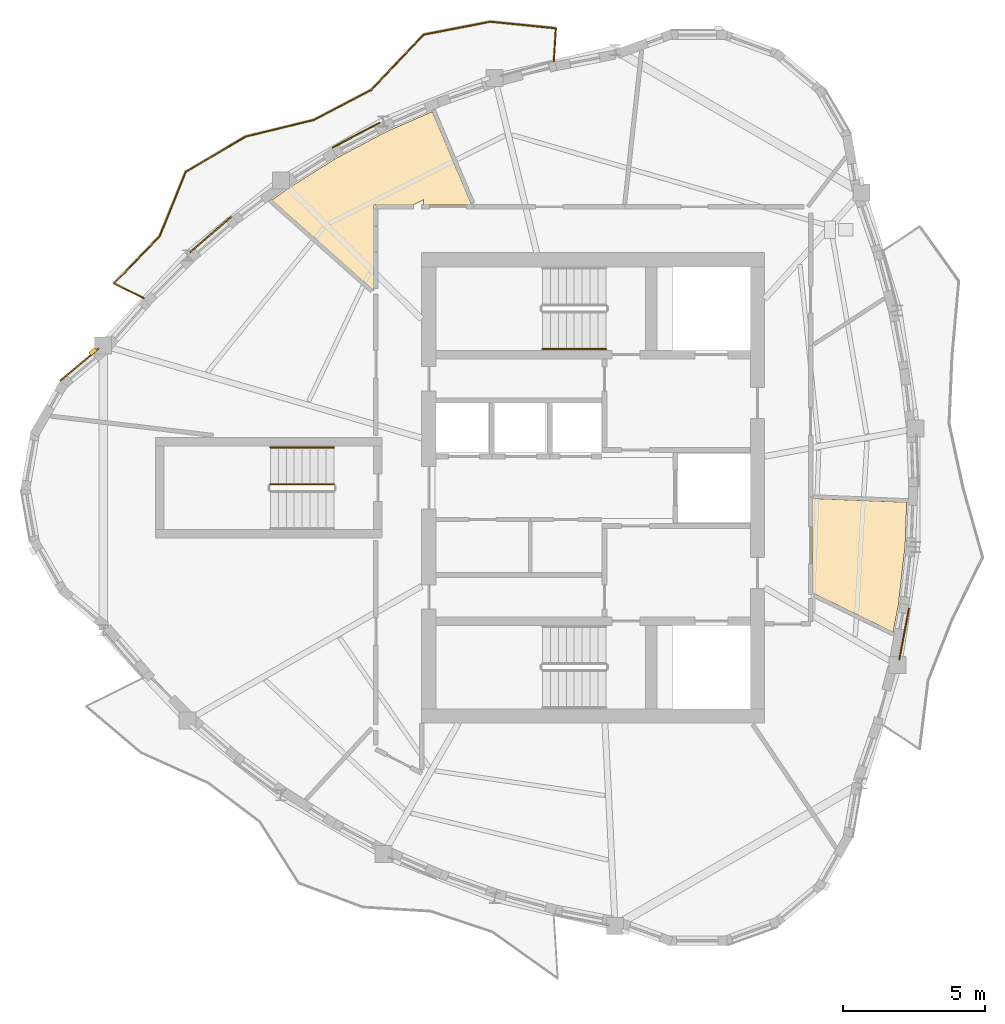
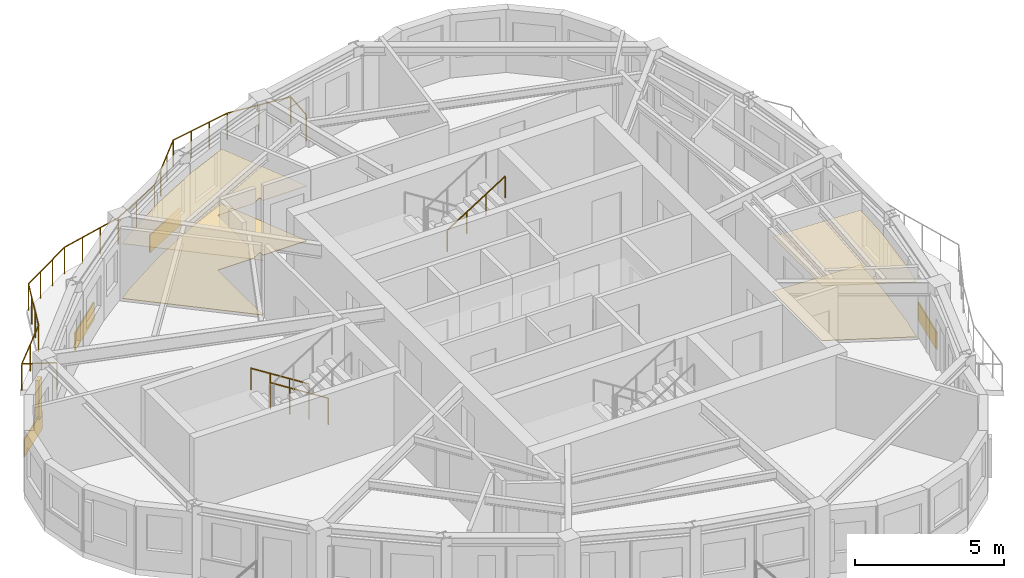
# One storey, part 9 of 11: 8 coverings, 4 railings, 1 shading device.
"""IFC4 building model written with IfcOpenShell, lengths in metres."""

from ifc_helpers import new_model, si_unit, direction, frame, origin, origin_2d, place, context, subcontext, project, spatial, polyline, rectangle, circle, outline, extrude, source, transform, mapped, material, layer, layer_set, type_object, element, save


model = new_model("IFC4")

# Units and contexts
model_context = context("Model", 3, precision=1e-05, world=origin(), true_north=direction((0.0, 1.0)))
body_context = subcontext(model_context, "Body", "Model", "MODEL_VIEW")
ifc_project = project(units=[si_unit("LENGTHUNIT", "METRE"), si_unit("AREAUNIT", "SQUARE_METRE"), si_unit("VOLUMEUNIT", "CUBIC_METRE"), si_unit("PLANEANGLEUNIT", "RADIAN"), si_unit("MASSUNIT", "GRAM", prefix="KILO")], contexts=[model_context])

# Site, building, storey
site_placement = place(None, origin())
site = spatial("IfcSite", under=ifc_project, at=site_placement, CompositionType="ELEMENT")
building_placement = place(site_placement, origin())
building = spatial("IfcBuilding", under=site, at=building_placement, Name="Qafzar Sky-Pleat Residences", CompositionType="ELEMENT")
storey_placement = place(building_placement, frame((0.0, 0.0, 227.60009765625)))
storey = spatial("IfcBuildingStorey", under=building, at=storey_placement, Name="L68", CompositionType="ELEMENT", Elevation=227.60009765625)

# Coverings
ifc_material_1 = material(Name="Perforated acoustic gypsum board ceiling")
ifc_layer_1 = layer(ifc_material_1, 0.02001953125)
ifc_layer_set_1 = layer_set([ifc_layer_1], Name="Perforated acoustic gypsum board ceiling")
covering_type_1 = type_object("IfcCoveringType", Name="COV-CEIL-ACOUSTIC", PredefinedType="CEILING", material=ifc_layer_set_1)
covering_1_placement = place(storey_placement, frame((0.0, 0.0, 2.239990234375)))
element("IfcCovering", 1, at=covering_1_placement, inside=storey, type_object=covering_type_1, Name="L68 Co-Living Lounge Acoustic Ceiling", PredefinedType="CEILING", context=body_context, shape_type="SweptSolid", body=[
    extrude(outline(polyline([(19.53955078125, 36.53759765625), (21.282958984375, 37.634521484375), (23.1044921875, 38.595703125), (24.669677734375, 39.276123046875), (26.063720703125, 35.97998046875), (24.360107421875, 35.97998046875), (24.360107421875, 36.17138671875), (23.997314453125, 35.97998046875), (22.6201171875, 35.97998046875), (22.6201171875, 32.951171875), (19.018798828125, 36.152099609375), (19.53955078125, 36.53759765625)])), origin(), (0.0, 0.0, 1.0), 0.02001953125),
])
covering_2_placement = place(storey_placement, frame((0.0, 0.0, 2.239990234375)))
element("IfcCovering", 2, at=covering_2_placement, inside=storey, type_object=covering_type_1, Name="L68 Communal Kitchen Acoustic Ceiling", PredefinedType="CEILING", context=body_context, shape_type="SweptSolid", body=[
    extrude(outline(polyline([(41.35595703125, 23.941650390625), (41.12109375, 21.883056640625), (40.935791015625, 20.906982421875), (38.080078125, 22.299072265625), (38.080078125, 25.626220703125), (41.414794921875, 25.49072265625), (41.35595703125, 23.941650390625)])), origin(), (0.0, 0.0, 1.0), 0.02001953125),
])
ifc_material_2 = material(Name="Honed porcelain and Riyadh stone tile flooring", Category="masonry")
ifc_layer_2 = layer(ifc_material_2, 0.02001953125)
ifc_layer_set_2 = layer_set([ifc_layer_2], Name="Honed porcelain and Riyadh stone tile flooring")
covering_type_2 = type_object("IfcCoveringType", Name="COV-FLR-PORCELAIN", PredefinedType="FLOORING", material=ifc_layer_set_2)
covering_3_placement = place(storey_placement, origin())
element("IfcCovering", 3, at=covering_3_placement, inside=storey, type_object=covering_type_2, Name="L68 Co-Living Lounge Honed Stone Flooring", PredefinedType="FLOORING", context=body_context, shape_type="SweptSolid", body=[
    extrude(outline(polyline([(19.53955078125, 36.53759765625), (21.282958984375, 37.634521484375), (23.1044921875, 38.595703125), (24.669677734375, 39.276123046875), (26.063720703125, 35.97998046875), (24.360107421875, 35.97998046875), (24.360107421875, 36.17138671875), (23.997314453125, 35.97998046875), (22.6201171875, 35.97998046875), (22.6201171875, 32.951171875), (19.018798828125, 36.152099609375), (19.53955078125, 36.53759765625)])), origin(), (0.0, 0.0, 1.0), 0.02001953125),
])
covering_4_placement = place(storey_placement, origin())
element("IfcCovering", 4, at=covering_4_placement, inside=storey, type_object=covering_type_2, Name="L68 Communal Kitchen Honed Stone Flooring", PredefinedType="FLOORING", context=body_context, shape_type="SweptSolid", body=[
    extrude(outline(polyline([(41.35595703125, 23.941650390625), (41.12109375, 21.883056640625), (40.935791015625, 20.906982421875), (38.080078125, 22.299072265625), (38.080078125, 25.626220703125), (41.414794921875, 25.49072265625), (41.35595703125, 23.941650390625)])), origin(), (0.0, 0.0, 1.0), 0.02001953125),
])

# Shading device
ifc_material_3 = material(Name="Honed Riyadh limestone solar fin", Category="masonry")
ifc_layer_3 = layer(ifc_material_3, 0.139892578125)
ifc_layer_set_3 = layer_set([ifc_layer_3], Name="Honed Riyadh limestone solar fin")
shading_device_type = type_object("IfcShadingDeviceType", Name="SHD-FIN-STONE", PredefinedType="SHUTTER", material=ifc_layer_set_3)
shared_shape_1 = source(origin(), body_context, "Body", "SweptSolid", [
    extrude(rectangle(XDim=0.139892578125, YDim=0.280029296875, at=origin_2d()), origin(), (0.0, 0.0, 1.0), 1.60009765625),
])
shading_device_placement = place(storey_placement, frame((12.6982421875, 30.808349609375, 0.599853515625), z_axis=(0.0, 0.0, 1.0), x_axis=(-0.642754210861, 0.76607246682, 0.0)))
element("IfcShadingDevice", 5, at=shading_device_placement, inside=storey, type_object=shading_device_type, Name="L68 Limestone Solar Fin 1", PredefinedType="SHUTTER", context=body_context, shape_type="MappedRepresentation", body=[
    mapped(shared_shape_1, transform((0.0, 0.0, 0.0), x_axis=(1.0, 0.0, 0.0), y_axis=(0.0, 1.0, 0.0), z_axis=(0.0, 0.0, 1.0), scale=1.0)),
])

# Covering
ifc_material_4 = material(Name="Honed Riyadh Tuwaiq limestone cladding", Category="masonry")
ifc_layer_4 = layer(ifc_material_4, 0.044921875)
ifc_layer_set_4 = layer_set([ifc_layer_4], Name="Honed Riyadh Tuwaiq limestone cladding")
covering_type_3 = type_object("IfcCoveringType", Name="COV-CLAD-STONE", PredefinedType="CLADDING", material=ifc_layer_set_4)
shared_shape_2 = source(origin(), body_context, "Body", "SweptSolid", [
    extrude(rectangle(XDim=1.76611328125, YDim=0.044921875, at=origin_2d()), origin(), (0.0, 0.0, 1.0), 0.719970703125),
])
covering_5_placement = place(storey_placement, frame((12.22021484375, 30.351318359375, 0.02001953125), z_axis=(0.0, 0.0, 1.0), x_axis=(-0.76607417096, -0.642752179762, 0.0)))
element("IfcCovering", 6, at=covering_5_placement, inside=storey, type_object=covering_type_3, Name="L68 Riyadh Limestone Spandrel Cladding 1", PredefinedType="CLADDING", context=body_context, shape_type="MappedRepresentation", body=[
    mapped(shared_shape_2, transform((0.0, 0.0, 0.0), x_axis=(1.0, 0.0, 0.0), y_axis=(0.0, 1.0, 0.0), z_axis=(0.0, 0.0, 1.0), scale=1.0)),
])

# Railing
ifc_material_5 = material(Name="Laminated glass and bronze steel balustrade", Category="steel")
railing_type_1 = type_object("IfcRailingType", Name="RAIL-BAL-1100", PredefinedType="BALUSTRADE", material=ifc_material_5)
shared_shape_3 = source(origin(), body_context, "Body", "SweptSolid", [
    extrude(circle(Radius=0.02392578125, at=origin_2d()), frame((0.0, 0.0, 1.076171875), z_axis=(0.063836302809, 0.997960383203, 0.0), x_axis=(-0.997960383203, 0.063836302809, 0.0)), (0.0, 0.0, 1.0), 1.177978515625),
    extrude(circle(Radius=0.02392578125, at=origin_2d()), frame((0.0751953125, 1.175537109375, 1.076171875), z_axis=(-0.994932736042, 0.10054278071, 0.0), x_axis=(-0.10054278071, -0.994932736042, 0.0)), (0.0, 0.0, 1.0), 2.326171875),
    extrude(circle(Radius=0.02392578125, at=origin_2d()), frame((-2.2392578125, 1.409423828125, 1.076171875), z_axis=(-0.981652948308, -0.190676398848, 0.0), x_axis=(0.190676398848, -0.981652948308, 0.0)), (0.0, 0.0, 1.0), 2.400634765625),
    extrude(circle(Radius=0.02392578125, at=origin_2d()), frame((-4.595947265625, 0.95166015625, 1.076171875), z_axis=(-0.687908056889, -0.725797840495, 0.0), x_axis=(0.725797840495, -0.687908056889, 0.0)), (0.0, 0.0, 1.0), 2.693359375),
    extrude(circle(Radius=0.02392578125, at=origin_2d()), frame((-6.44873046875, -1.003173828125, 1.076171875), z_axis=(-0.88578094694, -0.464103559605, 0.0), x_axis=(0.464103559605, -0.88578094694, 0.0)), (0.0, 0.0, 1.0), 2.267333984375),
    extrude(circle(Radius=0.02392578125, at=origin_2d()), frame((-8.45703125, -2.055419921875, 1.076171875), z_axis=(-0.971598054586, -0.236637318117, 0.0), x_axis=(0.236637318117, -0.971598054586, 0.0)), (0.0, 0.0, 1.0), 2.4853515625),
    extrude(circle(Radius=0.02392578125, at=origin_2d()), frame((-10.871826171875, -2.6435546875, 1.076171875), z_axis=(-0.861050876523, -0.508518817783, 0.0), x_axis=(0.508518817783, -0.861050876523, 0.0)), (0.0, 0.0, 1.0), 2.4619140625),
    extrude(circle(Radius=0.02392578125, at=origin_2d()), frame((-12.99169921875, -3.8955078125, 1.076171875), z_axis=(-0.374628309725, -0.927175080312, 0.0), x_axis=(0.927175080312, -0.374628309725, 0.0)), (0.0, 0.0, 1.0), 2.442626953125),
    extrude(circle(Radius=0.02392578125, at=origin_2d()), frame((-13.90673828125, -6.16015625, 1.076171875), z_axis=(-0.695284786917, -0.718734349452, 0.0), x_axis=(0.718734349452, -0.695284786917, 0.0)), (0.0, 0.0, 1.0), 2.32177734375),
    extrude(circle(Radius=0.02392578125, at=origin_2d()), frame((-15.52099609375, -7.828857421875, 1.076171875), z_axis=(0.896038070146, -0.443977225596, 0.0), x_axis=(0.443977225596, 0.896038070146, 0.0)), (0.0, 0.0, 1.0), 1.177978515625),
    extrude(circle(Radius=0.02099609375, at=origin_2d()), origin(), (0.0, 0.0, 1.0), 1.052001953125),
    extrude(circle(Radius=0.02099609375, at=origin_2d()), frame((0.0751953125, 1.175537109375, 0.0)), (0.0, 0.0, 1.0), 1.052001953125),
    extrude(circle(Radius=0.02099609375, at=origin_2d()), frame((-1.08203125, 1.29248046875, 0.0)), (0.0, 0.0, 1.0), 1.052001953125),
    extrude(circle(Radius=0.02099609375, at=origin_2d()), frame((-2.2392578125, 1.409423828125, 0.0)), (0.0, 0.0, 1.0), 1.052001953125),
    extrude(circle(Radius=0.02099609375, at=origin_2d()), frame((-3.02490234375, 1.2568359375, 0.0)), (0.0, 0.0, 1.0), 1.052001953125),
    extrude(circle(Radius=0.02099609375, at=origin_2d()), frame((-3.810302734375, 1.104248046875, 0.0)), (0.0, 0.0, 1.0), 1.052001953125),
    extrude(circle(Radius=0.02099609375, at=origin_2d()), frame((-4.595947265625, 0.95166015625, 0.0)), (0.0, 0.0, 1.0), 1.052001953125),
    extrude(circle(Radius=0.02099609375, at=origin_2d()), frame((-5.213623046875, 0.300048828125, 0.0)), (0.0, 0.0, 1.0), 1.052001953125),
    extrude(circle(Radius=0.02099609375, at=origin_2d()), frame((-5.8310546875, -0.3515625, 0.0)), (0.0, 0.0, 1.0), 1.052001953125),
    extrude(circle(Radius=0.02099609375, at=origin_2d()), frame((-6.44873046875, -1.003173828125, 0.0)), (0.0, 0.0, 1.0), 1.052001953125),
    extrude(circle(Radius=0.02099609375, at=origin_2d()), frame((-7.452880859375, -1.529296875, 0.0)), (0.0, 0.0, 1.0), 1.052001953125),
    extrude(circle(Radius=0.02099609375, at=origin_2d()), frame((-8.45703125, -2.055419921875, 0.0)), (0.0, 0.0, 1.0), 1.052001953125),
    extrude(circle(Radius=0.02099609375, at=origin_2d()), frame((-9.261962890625, -2.25146484375, 0.0)), (0.0, 0.0, 1.0), 1.052001953125),
    extrude(circle(Radius=0.02099609375, at=origin_2d()), frame((-10.06689453125, -2.447509765625, 0.0)), (0.0, 0.0, 1.0), 1.052001953125),
    extrude(circle(Radius=0.02099609375, at=origin_2d()), frame((-10.871826171875, -2.6435546875, 0.0)), (0.0, 0.0, 1.0), 1.052001953125),
    extrude(circle(Radius=0.02099609375, at=origin_2d()), frame((-11.578369140625, -3.060791015625, 0.0)), (0.0, 0.0, 1.0), 1.052001953125),
    extrude(circle(Radius=0.02099609375, at=origin_2d()), frame((-12.28515625, -3.478271484375, 0.0)), (0.0, 0.0, 1.0), 1.052001953125),
    extrude(circle(Radius=0.02099609375, at=origin_2d()), frame((-12.99169921875, -3.8955078125, 0.0)), (0.0, 0.0, 1.0), 1.052001953125),
    extrude(circle(Radius=0.02099609375, at=origin_2d()), frame((-13.296630859375, -4.650390625, 0.0)), (0.0, 0.0, 1.0), 1.052001953125),
    extrude(circle(Radius=0.02099609375, at=origin_2d()), frame((-13.601806640625, -5.4052734375, 0.0)), (0.0, 0.0, 1.0), 1.052001953125),
    extrude(circle(Radius=0.02099609375, at=origin_2d()), frame((-13.90673828125, -6.16015625, 0.0)), (0.0, 0.0, 1.0), 1.052001953125),
    extrude(circle(Radius=0.02099609375, at=origin_2d()), frame((-14.7138671875, -6.99462890625, 0.0)), (0.0, 0.0, 1.0), 1.052001953125),
    extrude(circle(Radius=0.02099609375, at=origin_2d()), frame((-15.52099609375, -7.828857421875, 0.0)), (0.0, 0.0, 1.0), 1.052001953125),
    extrude(circle(Radius=0.02099609375, at=origin_2d()), frame((-14.465576171875, -8.351806640625, 0.0)), (0.0, 0.0, 1.0), 1.052001953125),
])
railing_1_placement = place(storey_placement, frame((28.959716796875, 41.041015625, 0.0)))
element("IfcRailing", 7, at=railing_1_placement, inside=storey, type_object=railing_type_1, Name="L68 Pleated Balcony 2 Balustrade", PredefinedType="BALUSTRADE", context=body_context, shape_type="MappedRepresentation", body=[
    mapped(shared_shape_3, transform((0.0, 0.0, 0.0), x_axis=(1.0, 0.0, 0.0), y_axis=(0.0, 1.0, 0.0), z_axis=(0.0, 0.0, 1.0), scale=1.0)),
])

# Coverings
shared_shape_4 = source(origin(), body_context, "Body", "SweptSolid", [
    extrude(rectangle(XDim=1.864501953125, YDim=0.044921875, at=origin_2d()), origin(), (0.0, 0.0, 1.0), 0.719970703125),
])
covering_6_placement = place(storey_placement, frame((41.32275390625, 20.843017578125, 0.02001953125), z_axis=(0.0, 0.0, 1.0), x_axis=(0.186666236581, 0.982423389441, 0.0)))
element("IfcCovering", 8, at=covering_6_placement, inside=storey, type_object=covering_type_3, Name="L68 Riyadh Limestone Spandrel Cladding 25", PredefinedType="CLADDING", context=body_context, shape_type="MappedRepresentation", body=[
    mapped(shared_shape_4, transform((0.0, 0.0, 0.0), x_axis=(1.0, 0.0, 0.0), y_axis=(0.0, 1.0, 0.0), z_axis=(0.0, 0.0, 1.0), scale=1.0)),
])
shared_shape_5 = source(origin(), body_context, "Body", "SweptSolid", [
    extrude(rectangle(XDim=1.895263671875, YDim=0.044921875, at=origin_2d()), origin(), (0.0, 0.0, 1.0), 0.719970703125),
])
covering_7_placement = place(storey_placement, frame((21.985107421875, 38.4482421875, 0.02001953125), z_axis=(0.0, 0.0, 1.0), x_axis=(-0.884380941117, -0.466765841713, 0.0)))
element("IfcCovering", 9, at=covering_7_placement, inside=storey, type_object=covering_type_3, Name="L68 Riyadh Limestone Spandrel Cladding 43", PredefinedType="CLADDING", context=body_context, shape_type="MappedRepresentation", body=[
    mapped(shared_shape_5, transform((0.0, 0.0, 0.0), x_axis=(1.0, 0.0, 0.0), y_axis=(0.0, 1.0, 0.0), z_axis=(0.0, 0.0, 1.0), scale=1.0)),
])
shared_shape_6 = source(origin(), body_context, "Body", "SweptSolid", [
    extrude(rectangle(XDim=1.927490234375, YDim=0.044921875, at=origin_2d()), origin(), (0.0, 0.0, 1.0), 0.719970703125),
])
covering_8_placement = place(storey_placement, frame((16.84619140625, 34.9365234375, 0.02001953125), z_axis=(0.0, 0.0, 1.0), x_axis=(-0.757470479573, -0.652869414643, 0.0)))
element("IfcCovering", 10, at=covering_8_placement, inside=storey, type_object=covering_type_3, Name="L68 Riyadh Limestone Spandrel Cladding 46", PredefinedType="CLADDING", context=body_context, shape_type="MappedRepresentation", body=[
    mapped(shared_shape_6, transform((0.0, 0.0, 0.0), x_axis=(1.0, 0.0, 0.0), y_axis=(0.0, 1.0, 0.0), z_axis=(0.0, 0.0, 1.0), scale=1.0)),
])

# Railings
ifc_material_6 = material(Name="Painted Steel S355 stair guardrail", Category="steel")
railing_type_2 = type_object("IfcRailingType", Name="RAIL-STAIR-GUARD", PredefinedType="GUARDRAIL", material=ifc_material_6)
shared_shape_7 = source(origin(), body_context, "Body", "SweptSolid", [
    extrude(circle(Radius=0.02392578125, at=origin_2d()), frame((0.0, 0.0, 1.076171875), z_axis=(-0.8442293374, 0.0, 0.53598211339), x_axis=(0.0, -1.0, 0.0)), (0.0, 0.0, 1.0), 2.6533203125),
    extrude(circle(Radius=0.02099609375, at=origin_2d()), origin(), (0.0, 0.0, 1.0), 1.052001953125),
    extrude(circle(Radius=0.02099609375, at=origin_2d()), frame((-0.74658203125, 0.0, 0.47412109375)), (0.0, 0.0, 1.0), 1.052001953125),
    extrude(circle(Radius=0.02099609375, at=origin_2d()), frame((-1.493408203125, 0.0, 0.947998046875)), (0.0, 0.0, 1.0), 1.052001953125),
    extrude(circle(Radius=0.02099609375, at=origin_2d()), frame((-2.239990234375, 0.0, 1.422119140625)), (0.0, 0.0, 1.0), 1.052001953125),
])
railing_2_placement = place(storey_placement, frame((21.199951171875, 26.125, 0.177734375)))
element("IfcRailing", 11, at=railing_2_placement, inside=storey, type_object=railing_type_2, Name="L68 ST3 stair guard 1", PredefinedType="GUARDRAIL", context=body_context, shape_type="MappedRepresentation", body=[
    mapped(shared_shape_7, transform((0.0, 0.0, 0.0), x_axis=(1.0, 0.0, 0.0), y_axis=(0.0, 1.0, 0.0), z_axis=(0.0, 0.0, 1.0), scale=1.0)),
])
ifc_material_7 = material(Name="Brushed stainless steel handrail", Category="steel")
railing_type_3 = type_object("IfcRailingType", Name="RAIL-STAIR-HAND", PredefinedType="HANDRAIL", material=ifc_material_7)
shared_shape_8 = source(origin(), body_context, "Body", "SweptSolid", [
    extrude(circle(Radius=0.02392578125, at=origin_2d()), frame((0.0, 0.0, 0.8759765625), z_axis=(-0.8442293374, 0.0, 0.53598211339), x_axis=(0.0, -1.0, 0.0)), (0.0, 0.0, 1.0), 2.6533203125),
    extrude(circle(Radius=0.02099609375, at=origin_2d()), origin(), (0.0, 0.0, 1.0), 0.851806640625),
    extrude(circle(Radius=0.02099609375, at=origin_2d()), frame((-0.74658203125, 0.0, 0.47412109375)), (0.0, 0.0, 1.0), 0.851806640625),
    extrude(circle(Radius=0.02099609375, at=origin_2d()), frame((-1.493408203125, 0.0, 0.947998046875)), (0.0, 0.0, 1.0), 0.851806640625),
    extrude(circle(Radius=0.02099609375, at=origin_2d()), frame((-2.239990234375, 0.0, 1.422119140625)), (0.0, 0.0, 1.0), 0.851806640625),
])
railing_3_placement = place(storey_placement, frame((21.199951171875, 27.425048828125, 0.177734375)))
element("IfcRailing", 12, at=railing_3_placement, inside=storey, type_object=railing_type_3, Name="L68 ST3 stair handrail 1", PredefinedType="HANDRAIL", context=body_context, shape_type="MappedRepresentation", body=[
    mapped(shared_shape_8, transform((0.0, 0.0, 0.0), x_axis=(1.0, 0.0, 0.0), y_axis=(0.0, 1.0, 0.0), z_axis=(0.0, 0.0, 1.0), scale=1.0)),
])
shared_shape_9 = source(origin(), body_context, "Body", "SweptSolid", [
    extrude(circle(Radius=0.02392578125, at=origin_2d()), frame((0.0, 0.0, 0.8759765625), z_axis=(0.84418770128, 0.0, 0.536047689118), x_axis=(0.0, 1.0, 0.0)), (0.0, 0.0, 1.0), 2.6533203125),
    extrude(circle(Radius=0.02099609375, at=origin_2d()), origin(), (0.0, 0.0, 1.0), 0.851806640625),
    extrude(circle(Radius=0.02099609375, at=origin_2d()), frame((0.74658203125, 0.0, 0.47412109375)), (0.0, 0.0, 1.0), 0.851806640625),
    extrude(circle(Radius=0.02099609375, at=origin_2d()), frame((1.493408203125, 0.0, 0.9482421875)), (0.0, 0.0, 1.0), 0.851806640625),
    extrude(circle(Radius=0.02099609375, at=origin_2d()), frame((2.239990234375, 0.0, 1.42236328125)), (0.0, 0.0, 1.0), 0.851806640625),
])
railing_4_placement = place(storey_placement, frame((28.56005859375, 30.89990234375, 1.777587890625)))
element("IfcRailing", 13, at=railing_4_placement, inside=storey, type_object=railing_type_3, Name="L68 ST2 stair handrail 2", PredefinedType="HANDRAIL", context=body_context, shape_type="MappedRepresentation", body=[
    mapped(shared_shape_9, transform((0.0, 0.0, 0.0), x_axis=(1.0, 0.0, 0.0), y_axis=(0.0, 1.0, 0.0), z_axis=(0.0, 0.0, 1.0), scale=1.0)),
])

save(model, "model.ifc")
